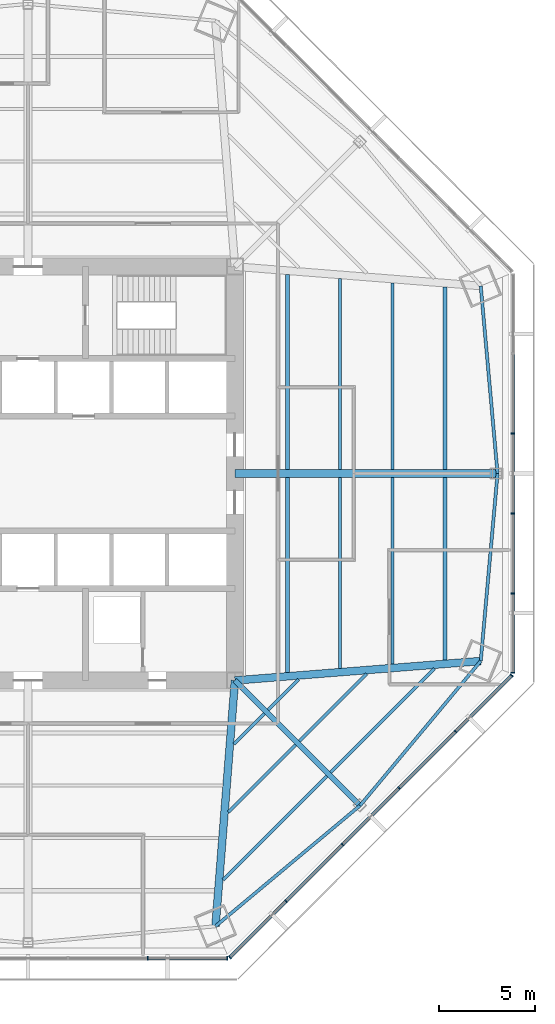
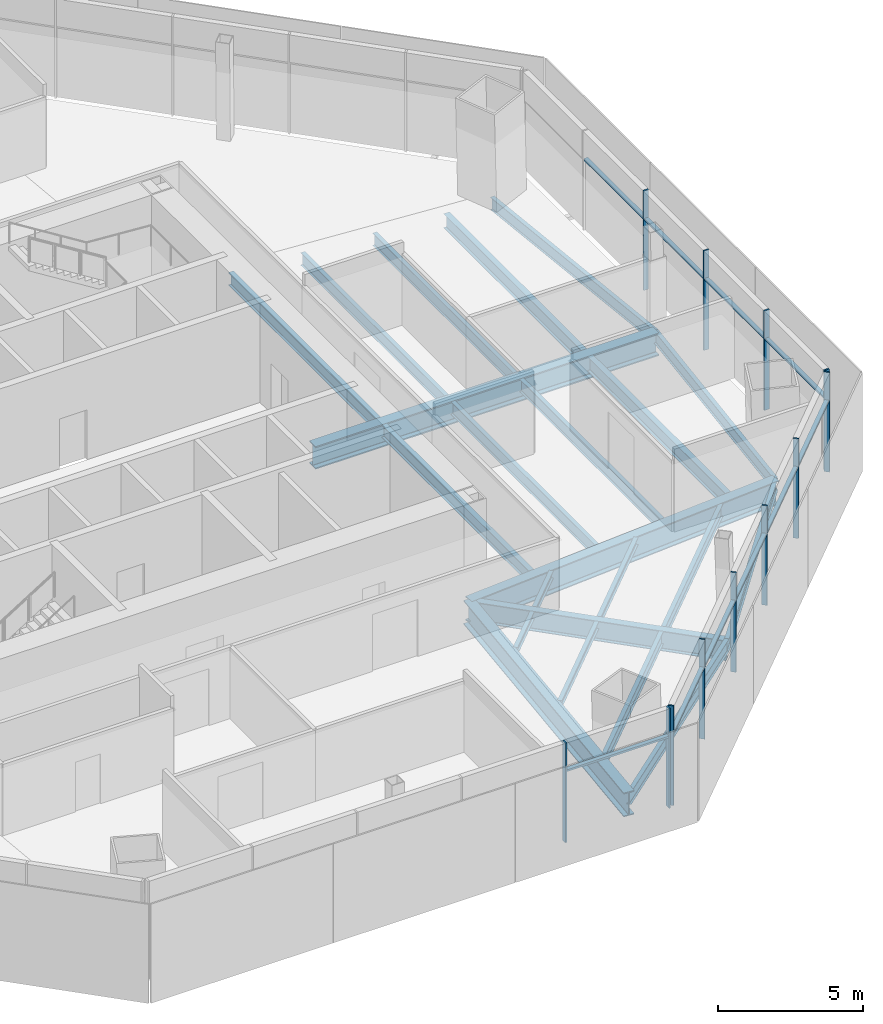
# One storey, part 4 of 16: 22 beams, 22 members, 3 elements without a shape of their own.
"""IFC4 building model written with IfcOpenShell, lengths in metres."""

from ifc_helpers import new_model, si_unit, direction, frame, origin, origin_2d, place, context, subcontext, project, spatial, rectangle, i_section, extrude, source, transform, mapped, material, material_profile, profile_set, type_object, type_shapes, element, aggregate, save


model = new_model("IFC4")

# Units and contexts
model_context = context("Model", 3, precision=1e-05, world=origin(), true_north=direction((0.0, 1.0)))
body_context = subcontext(model_context, "Body", "Model", "MODEL_VIEW")
ifc_project = project(units=[si_unit("LENGTHUNIT", "METRE"), si_unit("AREAUNIT", "SQUARE_METRE"), si_unit("VOLUMEUNIT", "CUBIC_METRE"), si_unit("PLANEANGLEUNIT", "RADIAN"), si_unit("MASSUNIT", "GRAM", prefix="KILO")], contexts=[model_context])

# Site, building, storey
site_placement = place(None, origin())
site = spatial("IfcSite", under=ifc_project, at=site_placement, CompositionType="ELEMENT")
building_placement = place(site_placement, origin())
building = spatial("IfcBuilding", under=site, at=building_placement, Name="Mashrafa Tower", CompositionType="ELEMENT")
storey_placement = place(building_placement, frame((0.0, 0.0, 96.0)))
storey = spatial("IfcBuildingStorey", under=building, at=storey_placement, Name="L21", CompositionType="ELEMENT", Elevation=96.0)

# Beams
ifc_material_1 = material(Name="Steel ASTM A992", Category="steel")
ifc_material_profile_1 = material_profile(ifc_material_1, i_section(OverallWidth=0.164794921875, OverallDepth=0.309814453125, WebThickness=0.005859375, FlangeThickness=0.009765625, FilletRadius=0.007568359375, at=origin_2d()), Name="W12X26")
ifc_profile_set_1 = profile_set([ifc_material_profile_1], Name="Steel ASTM A992")
beam_type_1 = type_object("IfcBeamType", Name="Beam W12X26", PredefinedType="BEAM", material=ifc_profile_set_1)
beam_1_placement = place(storey_placement, frame((12.328369140625, -12.534912109375, -0.31982421875), z_axis=(-0.707106781187, -0.707106781187, 0.0), x_axis=(0.707106781187, -0.707106781187, 0.0)))
element("IfcBeam", 1, at=beam_1_placement, inside=storey, type_object=beam_type_1, Name="Floor beam L21 040", PredefinedType="BEAM", context=body_context, shape_type="SweptSolid", body=[
    extrude(i_section(OverallWidth=0.164794921875, OverallDepth=0.309814453125, WebThickness=0.005859375, FlangeThickness=0.009765625, FilletRadius=0.007568359375, at=origin_2d()), origin(), (0.0, 0.0, 1.0), 2.248779296875),
])
beam_2_placement = place(storey_placement, frame((13.960205078125, -14.166748046875, -0.31982421875), z_axis=(-0.707131429789, -0.707082131725, 0.0), x_axis=(0.707082131725, -0.707131429789, 0.0)))
element("IfcBeam", 2, at=beam_2_placement, inside=storey, type_object=beam_type_1, Name="Floor beam L21 044", PredefinedType="BEAM", context=body_context, shape_type="SweptSolid", body=[
    extrude(i_section(OverallWidth=0.164794921875, OverallDepth=0.309814453125, WebThickness=0.005859375, FlangeThickness=0.009765625, FilletRadius=0.007568359375, at=origin_2d()), origin(), (0.0, 0.0, 1.0), 4.952392578125),
])
beam_3_placement = place(storey_placement, frame((14.125, -10.73828125, -0.31982421875), z_axis=(-0.707106781187, -0.707106781187, 0.0), x_axis=(0.707106781187, -0.707106781187, 0.0)))
element("IfcBeam", 3, at=beam_3_placement, inside=storey, type_object=beam_type_1, Name="Floor beam L21 046", PredefinedType="BEAM", context=body_context, shape_type="SweptSolid", body=[
    extrude(i_section(OverallWidth=0.164794921875, OverallDepth=0.309814453125, WebThickness=0.005859375, FlangeThickness=0.009765625, FilletRadius=0.007568359375, at=origin_2d()), origin(), (0.0, 0.0, 1.0), 2.248779296875),
])
beam_4_placement = place(storey_placement, frame((17.66845703125, -10.458251953125, -0.31982421875), z_axis=(-0.707082131725, -0.707131429789, 0.0), x_axis=(0.707131429789, -0.707082131725, 0.0)))
element("IfcBeam", 4, at=beam_4_placement, inside=storey, type_object=beam_type_1, Name="Floor beam L21 051", PredefinedType="BEAM", context=body_context, shape_type="SweptSolid", body=[
    extrude(i_section(OverallWidth=0.164794921875, OverallDepth=0.309814453125, WebThickness=0.005859375, FlangeThickness=0.009765625, FilletRadius=0.007568359375, at=origin_2d()), origin(), (0.0, 0.0, 1.0), 4.952392578125),
])
ifc_material_2 = material(Name="Steel ASTM A992", Category="steel")
ifc_material_profile_2 = material_profile(ifc_material_2, i_section(OverallWidth=0.1650390625, OverallDepth=0.52587890625, WebThickness=0.0087890625, FlangeThickness=0.011474609375, FilletRadius=0.0126953125, at=origin_2d()), Name="W21X44")
ifc_profile_set_2 = profile_set([ifc_material_profile_2], Name="Steel ASTM A992")
beam_type_2 = type_object("IfcBeamType", Name="Beam W21X44", PredefinedType="BEAM", material=ifc_profile_set_2)
for number, where, z_axis, x_axis, name in (
    (5, (19.022216796875, -0.212158203125, -0.427978515625), (0.0, -1.0, 0.0), (1.0, 0.0, 0.0), "Floor beam L21 052"),
    (6, (19.022216796875, 9.948486328125, -0.427978515625), (0.0, -1.0, 0.0), (1.0, 0.0, 0.0), "Floor beam L21 053"),
):
    element("IfcBeam", number, at=place(storey_placement, frame(where, z_axis=z_axis, x_axis=x_axis)), inside=storey, type_object=beam_type_2, Name=name, PredefinedType="BEAM", context=body_context, shape_type="SweptSolid", body=[
        extrude(i_section(OverallWidth=0.1650390625, OverallDepth=0.52587890625, WebThickness=0.0087890625, FlangeThickness=0.011474609375, FilletRadius=0.0126953125, at=origin_2d()), origin(), (0.0, 0.0, 1.0), 9.736328125),
    ])
ifc_material_3 = material(Name="Steel ASTM A992", Category="steel")
ifc_material_profile_3 = material_profile(ifc_material_3, i_section(OverallWidth=0.165771484375, OverallDepth=0.5283203125, WebThickness=0.009765625, FlangeThickness=0.013671875, FilletRadius=0.012939453125, at=origin_2d()), Name="W21X50")
ifc_profile_set_3 = profile_set([ifc_material_profile_3], Name="Steel ASTM A992")
beam_type_3 = type_object("IfcBeamType", Name="Beam W21X50", PredefinedType="BEAM", material=ifc_profile_set_3)
beam_5_placement = place(storey_placement, frame((15.591796875, -15.79833984375, -0.42919921875), z_axis=(-0.707122725149, -0.707090836864, 0.0), x_axis=(0.707090836864, -0.707122725149, 0.0)))
element("IfcBeam", 7, at=beam_5_placement, inside=storey, type_object=beam_type_3, Name="Floor beam L21 047", PredefinedType="BEAM", context=body_context, shape_type="SweptSolid", body=[
    extrude(i_section(OverallWidth=0.165771484375, OverallDepth=0.5283203125, WebThickness=0.009765625, FlangeThickness=0.013671875, FilletRadius=0.012939453125, at=origin_2d()), origin(), (0.0, 0.0, 1.0), 7.656005859375),
])
for number, where, z_axis, x_axis, name in (
    (8, (16.281494140625, -0.212158203125, -0.42919921875), (0.0, -1.0, 0.0), (1.0, 0.0, 0.0), "Floor beam L21 049"),
    (9, (16.281494140625, 10.165283203125, -0.42919921875), (0.0, -1.0, 0.0), (1.0, 0.0, 0.0), "Floor beam L21 050"),
):
    element("IfcBeam", number, at=place(storey_placement, frame(where, z_axis=z_axis, x_axis=x_axis)), inside=storey, type_object=beam_type_3, Name=name, PredefinedType="BEAM", context=body_context, shape_type="SweptSolid", body=[
        extrude(i_section(OverallWidth=0.165771484375, OverallDepth=0.5283203125, WebThickness=0.009765625, FlangeThickness=0.013671875, FilletRadius=0.012939453125, at=origin_2d()), origin(), (0.0, 0.0, 1.0), 9.953125),
    ])
beam_6_placement = place(storey_placement, frame((21.2119140625, -10.177978515625, -0.42919921875), z_axis=(-0.707090836864, -0.707122725149, 0.0), x_axis=(0.707122725149, -0.707090836864, 0.0)))
element("IfcBeam", 10, at=beam_6_placement, inside=storey, type_object=beam_type_3, Name="Floor beam L21 054", PredefinedType="BEAM", context=body_context, shape_type="SweptSolid", body=[
    extrude(i_section(OverallWidth=0.165771484375, OverallDepth=0.5283203125, WebThickness=0.009765625, FlangeThickness=0.013671875, FilletRadius=0.012939453125, at=origin_2d()), origin(), (0.0, 0.0, 1.0), 7.656005859375),
])
for number, where, z_axis, x_axis, name in (
    (11, (9.785888671875, -23.62548828125, -0.42919921875), (0.76747736109, 0.641076048698, 0.0), (-0.641076048698, 0.76747736109, 0.0), "Spandrel beam L21 082"),
    (12, (17.32666015625, -17.32666015625, -0.42919921875), (0.641076048698, 0.76747736109, 0.0), (-0.76747736109, 0.641076048698, 0.0), "Spandrel beam L21 084"),
):
    element("IfcBeam", number, at=place(storey_placement, frame(where, z_axis=z_axis, x_axis=x_axis)), inside=storey, type_object=beam_type_3, Name=name, PredefinedType="BEAM", context=body_context, shape_type="SweptSolid", body=[
        extrude(i_section(OverallWidth=0.165771484375, OverallDepth=0.5283203125, WebThickness=0.009765625, FlangeThickness=0.013671875, FilletRadius=0.012939453125, at=origin_2d()), origin(), (0.0, 0.0, 1.0), 9.825439453125),
    ])
for number, where, z_axis, x_axis, name in (
    (13, (23.62548828125, -9.785888671875, -0.42919921875), (0.089379624328, 0.995997631902, 0.0), (-0.995997631902, 0.089379624328, 0.0), "Spandrel beam L21 086"),
    (14, (24.503662109375, 0.0, -0.42919921875), (-0.089379624328, 0.995997631902, 0.0), (-0.995997631902, -0.089379624328, 0.0), "Spandrel beam L21 088"),
):
    element("IfcBeam", number, at=place(storey_placement, frame(where, z_axis=z_axis, x_axis=x_axis)), inside=storey, type_object=beam_type_3, Name=name, PredefinedType="BEAM", context=body_context, shape_type="SweptSolid", body=[
        extrude(i_section(OverallWidth=0.165771484375, OverallDepth=0.5283203125, WebThickness=0.009765625, FlangeThickness=0.013671875, FilletRadius=0.012939453125, at=origin_2d()), origin(), (0.0, 0.0, 1.0), 9.8251953125),
    ])
ifc_material_4 = material(Name="Steel ASTM A992", Category="steel")
ifc_material_profile_4 = material_profile(ifc_material_4, i_section(OverallWidth=0.209228515625, OverallDepth=0.533447265625, WebThickness=0.01025390625, FlangeThickness=0.015625, FilletRadius=0.012939453125, at=origin_2d()), Name="W21X62")
ifc_profile_set_4 = profile_set([ifc_material_profile_4], Name="Steel ASTM A992")
beam_type_4 = type_object("IfcBeamType", Name="Beam W21X62", PredefinedType="BEAM", material=ifc_profile_set_4)
for number, where, z_axis, x_axis, name in (
    (15, (13.540771484375, -0.212158203125, -0.431640625), (0.0, -1.0, 0.0), (1.0, 0.0, 0.0), "Floor beam L21 042"),
    (16, (13.540771484375, 10.382080078125, -0.431640625), (0.0, -1.0, 0.0), (1.0, 0.0, 0.0), "Floor beam L21 043"),
):
    element("IfcBeam", number, at=place(storey_placement, frame(where, z_axis=z_axis, x_axis=x_axis)), inside=storey, type_object=beam_type_4, Name=name, PredefinedType="BEAM", context=body_context, shape_type="SweptSolid", body=[
        extrude(i_section(OverallWidth=0.209228515625, OverallDepth=0.533447265625, WebThickness=0.01025390625, FlangeThickness=0.015625, FilletRadius=0.012939453125, at=origin_2d()), origin(), (0.0, 0.0, 1.0), 10.169921875),
    ])
ifc_material_5 = material(Name="Steel ASTM A992", Category="steel")
ifc_material_profile_5 = material_profile(ifc_material_5, i_section(OverallWidth=0.227783203125, OverallDepth=0.60205078125, WebThickness=0.010498046875, FlangeThickness=0.014892578125, FilletRadius=0.012939453125, at=origin_2d()), Name="W24X68")
ifc_profile_set_5 = profile_set([ifc_material_profile_5], Name="Steel ASTM A992")
beam_type_5 = type_object("IfcBeamType", Name="Beam W24X68", PredefinedType="BEAM", material=ifc_profile_set_5)
for number, where, z_axis, x_axis, name in (
    (17, (21.762939453125, -0.212158203125, -0.466064453125), (0.0, -1.0, 0.0), (1.0, 0.0, 0.0), "Floor beam L21 055"),
    (18, (21.762939453125, 9.73193359375, -0.466064453125), (0.0, -1.0, 0.0), (1.0, 0.0, 0.0), "Floor beam L21 056"),
):
    element("IfcBeam", number, at=place(storey_placement, frame(where, z_axis=z_axis, x_axis=x_axis)), inside=storey, type_object=beam_type_5, Name=name, PredefinedType="BEAM", context=body_context, shape_type="SweptSolid", body=[
        extrude(i_section(OverallWidth=0.227783203125, OverallDepth=0.60205078125, WebThickness=0.010498046875, FlangeThickness=0.014892578125, FilletRadius=0.012939453125, at=origin_2d()), origin(), (0.0, 0.0, 1.0), 9.519775390625),
    ])
ifc_material_6 = material(Name="Steel ASTM A992", Category="steel")
ifc_material_profile_6 = material_profile(ifc_material_6, i_section(OverallWidth=0.2919921875, OverallDepth=0.845703125, WebThickness=0.015380859375, FlangeThickness=0.0244140625, FilletRadius=0.017333984375, at=origin_2d()), Name="W33X141")
ifc_profile_set_6 = profile_set([ifc_material_profile_6], Name="Steel ASTM A992")
beam_type_6 = type_object("IfcBeamType", Name="Beam W33X141", PredefinedType="BEAM", material=ifc_profile_set_6)
beam_7_placement = place(storey_placement, frame((10.800048828125, -10.800048828125, -0.587890625), z_axis=(0.707106781187, -0.707106781187, 0.0), x_axis=(0.707106781187, 0.707106781187, 0.0)))
element("IfcBeam", 19, at=beam_7_placement, inside=storey, type_object=beam_type_6, Name="Radial girder L21 067", PredefinedType="BEAM", context=body_context, shape_type="SweptSolid", body=[
    extrude(i_section(OverallWidth=0.2919921875, OverallDepth=0.845703125, WebThickness=0.015380859375, FlangeThickness=0.0244140625, FilletRadius=0.017333984375, at=origin_2d()), origin(), (0.0, 0.0, 1.0), 9.22998046875),
])
ifc_material_7 = material(Name="Steel ASTM A992", Category="steel")
ifc_material_profile_7 = material_profile(ifc_material_7, i_section(OverallWidth=0.424072265625, OverallDepth=0.960205078125, WebThickness=0.028564453125, FlangeThickness=0.051025390625, FilletRadius=0.02001953125, at=origin_2d()), Name="W36X361")
ifc_profile_set_7 = profile_set([ifc_material_profile_7], Name="Steel ASTM A992")
beam_type_7 = type_object("IfcBeamType", Name="Beam W36X361", PredefinedType="BEAM", material=ifc_profile_set_7)
beam_8_placement = place(storey_placement, frame((10.800048828125, 0.0, -0.64501953125), z_axis=(1.0, 0.0, 0.0), x_axis=(0.0, 1.0, 0.0)))
element("IfcBeam", 20, at=beam_8_placement, inside=storey, type_object=beam_type_7, Name="Radial girder L21 069", PredefinedType="BEAM", context=body_context, shape_type="SweptSolid", body=[
    extrude(i_section(OverallWidth=0.424072265625, OverallDepth=0.960205078125, WebThickness=0.028564453125, FlangeThickness=0.051025390625, FilletRadius=0.02001953125, at=origin_2d()), origin(), (0.0, 0.0, 1.0), 13.70361328125),
])
ifc_material_8 = material(Name="Steel ASTM A992", Category="steel")
ifc_material_profile_8 = material_profile(ifc_material_8, i_section(OverallWidth=0.4013671875, OverallDepth=1.010986328125, WebThickness=0.023681640625, FlangeThickness=0.0419921875, FilletRadius=0.02001953125, at=origin_2d()), Name="W40X297")
ifc_profile_set_8 = profile_set([ifc_material_profile_8], Name="Steel ASTM A992")
beam_type_8 = type_object("IfcBeamType", Name="Beam W40X297", PredefinedType="BEAM", material=ifc_profile_set_8)
for number, where, z_axis, x_axis, name in (
    (21, (10.800048828125, -10.800048828125, -0.67041015625), (-0.078828045218, -0.996888228081, 0.0), (0.996888228081, -0.078828045218, 0.0), "Radial girder L21 066"),
    (22, (10.800048828125, -10.800048828125, -0.67041015625), (0.996888228081, 0.078828045218, 0.0), (-0.078828045218, 0.996888228081, 0.0), "Radial girder L21 068"),
):
    element("IfcBeam", number, at=place(storey_placement, frame(where, z_axis=z_axis, x_axis=x_axis)), inside=storey, type_object=beam_type_8, Name=name, PredefinedType="BEAM", context=body_context, shape_type="SweptSolid", body=[
        extrude(i_section(OverallWidth=0.4013671875, OverallDepth=1.010986328125, WebThickness=0.023681640625, FlangeThickness=0.0419921875, FilletRadius=0.02001953125, at=origin_2d()), origin(), (0.0, 0.0, 1.0), 12.865478515625),
    ])

# Curtain wall, members
ifc_material_9 = material(Name="Unitised aluminium curtain wall", Category="aluminium")
curtain_wall_type = type_object("IfcCurtainWallType", Name="Office curtain wall, zone 1 CW-A 200 deep", PredefinedType="NOTDEFINED", material=ifc_material_9)
curtain_wall_1_placement = place(storey_placement, origin())
curtain_wall_1 = element("IfcCurtainWall", 23, at=curtain_wall_1_placement, inside=storey, type_object=curtain_wall_type, Name="Office curtain wall, zone 1 L21 east", PredefinedType="NOTDEFINED")
ifc_material_10 = material(Name="Extruded aluminium mullion", Category="aluminium")
ifc_material_profile_9 = material_profile(ifc_material_10, rectangle(XDim=0.199951171875, YDim=0.06494140625, at=origin_2d()), Name="Mullion 65x200")
ifc_profile_set_9 = profile_set([ifc_material_profile_9], Name="Extruded aluminium mullion")
member_type_1 = type_object("IfcMemberType", Name="Mullion CW-A 65 x 200", PredefinedType="MULLION", material=ifc_profile_set_9)
shared_shape_1 = source(origin(), body_context, "Body", "SweptSolid", [
    extrude(rectangle(XDim=0.199951171875, YDim=0.06494140625, at=origin_2d()), origin(), (0.0, 0.0, 1.0), 4.199951171875),
])
type_shapes(member_type_1, [shared_shape_1])
member_1_placement = place(storey_placement, frame((25.299072265625, -10.395263671875, 0.0), z_axis=(0.0, 0.0, 1.0), x_axis=(-1.0, 0.0, 0.0)))
member_1 = element("IfcMember", 24, at=member_1_placement, type_object=member_type_1, Name="CW-A mullion 1", PredefinedType="MULLION", context=body_context, shape_type="MappedRepresentation", body=[
    mapped(shared_shape_1, transform((0.0, 0.0, 0.0))),
])
member_2_placement = place(storey_placement, frame((25.299072265625, -6.256591796875, 0.0), z_axis=(0.0, 0.0, 1.0), x_axis=(-1.0, 0.0, 0.0)))
member_2 = element("IfcMember", 25, at=member_2_placement, type_object=member_type_1, Name="CW-A mullion 2", PredefinedType="MULLION", context=body_context, shape_type="MappedRepresentation", body=[
    mapped(shared_shape_1, transform((0.0, 0.0, 0.0))),
])
member_3_placement = place(storey_placement, frame((25.299072265625, -2.08544921875, 0.0), z_axis=(0.0, 0.0, 1.0), x_axis=(-1.0, 0.0, 0.0)))
member_3 = element("IfcMember", 26, at=member_3_placement, type_object=member_type_1, Name="CW-A mullion 3", PredefinedType="MULLION", context=body_context, shape_type="MappedRepresentation", body=[
    mapped(shared_shape_1, transform((0.0, 0.0, 0.0))),
])
member_4_placement = place(storey_placement, frame((25.299072265625, 2.08544921875, 0.0), z_axis=(0.0, 0.0, 1.0), x_axis=(-1.0, 0.0, 0.0)))
member_4 = element("IfcMember", 27, at=member_4_placement, type_object=member_type_1, Name="CW-A mullion 4", PredefinedType="MULLION", context=body_context, shape_type="MappedRepresentation", body=[
    mapped(shared_shape_1, transform((0.0, 0.0, 0.0))),
])

curtain_wall_2_placement = place(storey_placement, origin())
curtain_wall_2 = element("IfcCurtainWall", 28, at=curtain_wall_2_placement, inside=storey, type_object=curtain_wall_type, Name="Office curtain wall, zone 1 L21 south", PredefinedType="NOTDEFINED")
member_5_placement = place(storey_placement, frame((6.256591796875, -25.299072265625, 0.0), z_axis=(0.0, 0.0, 1.0), x_axis=(0.0, 1.0, 0.0)))
member_5 = element("IfcMember", 29, at=member_5_placement, type_object=member_type_1, Name="CW-A mullion 5", PredefinedType="MULLION", context=body_context, shape_type="MappedRepresentation", body=[
    mapped(shared_shape_1, transform((0.0, 0.0, 0.0))),
])
member_6_placement = place(storey_placement, frame((10.395263671875, -25.299072265625, 0.0), z_axis=(0.0, 0.0, 1.0), x_axis=(0.0, 1.0, 0.0)))
member_6 = element("IfcMember", 30, at=member_6_placement, type_object=member_type_1, Name="CW-A mullion 6", PredefinedType="MULLION", context=body_context, shape_type="MappedRepresentation", body=[
    mapped(shared_shape_1, transform((0.0, 0.0, 0.0))),
])

curtain_wall_3_placement = place(storey_placement, origin())
curtain_wall_3 = element("IfcCurtainWall", 31, at=curtain_wall_3_placement, inside=storey, type_object=curtain_wall_type, Name="Office curtain wall, zone 1 L21 south-east", PredefinedType="NOTDEFINED")
member_7_placement = place(storey_placement, frame((10.53857421875, -25.23974609375, 0.0), z_axis=(0.0, 0.0, 1.0), x_axis=(-0.707106781187, 0.707106781187, 0.0)))
member_7 = element("IfcMember", 32, at=member_7_placement, type_object=member_type_1, Name="CW-A mullion 1", PredefinedType="MULLION", context=body_context, shape_type="MappedRepresentation", body=[
    mapped(shared_shape_1, transform((0.0, 0.0, 0.0))),
])
member_8_placement = place(storey_placement, frame((13.465087890625, -22.313232421875, 0.0), z_axis=(0.0, 0.0, 1.0), x_axis=(-0.707106781187, 0.707106781187, 0.0)))
member_8 = element("IfcMember", 33, at=member_8_placement, type_object=member_type_1, Name="CW-A mullion 2", PredefinedType="MULLION", context=body_context, shape_type="MappedRepresentation", body=[
    mapped(shared_shape_1, transform((0.0, 0.0, 0.0))),
])
member_9_placement = place(storey_placement, frame((16.414306640625, -19.36376953125, 0.0), z_axis=(0.0, 0.0, 1.0), x_axis=(-0.707106781187, 0.707106781187, 0.0)))
member_9 = element("IfcMember", 34, at=member_9_placement, type_object=member_type_1, Name="CW-A mullion 3", PredefinedType="MULLION", context=body_context, shape_type="MappedRepresentation", body=[
    mapped(shared_shape_1, transform((0.0, 0.0, 0.0))),
])
member_10_placement = place(storey_placement, frame((19.36376953125, -16.414306640625, 0.0), z_axis=(0.0, 0.0, 1.0), x_axis=(-0.707106781187, 0.707106781187, 0.0)))
member_10 = element("IfcMember", 35, at=member_10_placement, type_object=member_type_1, Name="CW-A mullion 4", PredefinedType="MULLION", context=body_context, shape_type="MappedRepresentation", body=[
    mapped(shared_shape_1, transform((0.0, 0.0, 0.0))),
])
member_11_placement = place(storey_placement, frame((22.313232421875, -13.465087890625, 0.0), z_axis=(0.0, 0.0, 1.0), x_axis=(-0.707106781187, 0.707106781187, 0.0)))
member_11 = element("IfcMember", 36, at=member_11_placement, type_object=member_type_1, Name="CW-A mullion 5", PredefinedType="MULLION", context=body_context, shape_type="MappedRepresentation", body=[
    mapped(shared_shape_1, transform((0.0, 0.0, 0.0))),
])
member_12_placement = place(storey_placement, frame((25.23974609375, -10.53857421875, 0.0), z_axis=(0.0, 0.0, 1.0), x_axis=(-0.707106781187, 0.707106781187, 0.0)))
member_12 = element("IfcMember", 37, at=member_12_placement, type_object=member_type_1, Name="CW-A mullion 6", PredefinedType="MULLION", context=body_context, shape_type="MappedRepresentation", body=[
    mapped(shared_shape_1, transform((0.0, 0.0, 0.0))),
])

# Member
ifc_material_11 = material(Name="Extruded aluminium transom", Category="aluminium")
ifc_material_profile_10 = material_profile(ifc_material_11, rectangle(XDim=0.159912109375, YDim=0.080078125, at=origin_2d()), Name="Transom 80x160")
ifc_profile_set_10 = profile_set([ifc_material_profile_10], Name="Extruded aluminium transom")
member_type_2 = type_object("IfcMemberType", Name="Transom CW-A 80 x 160", PredefinedType="MULLION", material=ifc_profile_set_10)
shared_shape_2 = source(origin(), body_context, "Body", "SweptSolid", [
    extrude(rectangle(XDim=0.159912109375, YDim=0.080078125, at=origin_2d()), origin(), (0.0, 0.0, 1.0), 4.07373046875),
])
member_13_placement = place(storey_placement, frame((25.299072265625, -10.36279296875, 3.0), z_axis=(0.0, 1.0, 0.0), x_axis=(-1.0, 0.0, 0.0)))
member_13 = element("IfcMember", 38, at=member_13_placement, type_object=member_type_2, Name="CW-A transom 1", PredefinedType="MULLION", context=body_context, shape_type="MappedRepresentation", body=[
    mapped(shared_shape_2, transform((0.0, 0.0, 0.0))),
])

member_14_placement = place(storey_placement, frame((6.2890625, -25.299072265625, 3.0), z_axis=(1.0, 0.0, 0.0), x_axis=(0.0, 1.0, 0.0)))
member_14 = element("IfcMember", 39, at=member_14_placement, type_object=member_type_2, Name="CW-A transom 5", PredefinedType="MULLION", context=body_context, shape_type="MappedRepresentation", body=[
    mapped(shared_shape_2, transform((0.0, 0.0, 0.0))),
])

aggregate(curtain_wall_2, [member_5, member_6, member_14])

member_15_placement = place(storey_placement, frame((10.5615234375, -25.216796875, 3.0), z_axis=(0.707076814591, 0.707136746513, 0.0), x_axis=(-0.707136746513, 0.707076814591, 0.0)))
member_15 = element("IfcMember", 40, at=member_15_placement, type_object=member_type_2, Name="CW-A transom 1", PredefinedType="MULLION", context=body_context, shape_type="MappedRepresentation", body=[
    mapped(shared_shape_2, transform((0.0, 0.0, 0.0))),
])

member_16_placement = place(storey_placement, frame((22.336181640625, -13.44189453125, 3.0), z_axis=(0.707136746513, 0.707076814591, 0.0), x_axis=(-0.707076814591, 0.707136746513, 0.0)))
member_16 = element("IfcMember", 41, at=member_16_placement, type_object=member_type_2, Name="CW-A transom 5", PredefinedType="MULLION", context=body_context, shape_type="MappedRepresentation", body=[
    mapped(shared_shape_2, transform((0.0, 0.0, 0.0))),
])

shared_shape_3 = source(origin(), body_context, "Body", "SweptSolid", [
    extrude(rectangle(XDim=0.159912109375, YDim=0.080078125, at=origin_2d()), origin(), (0.0, 0.0, 1.0), 4.10595703125),
])
member_17_placement = place(storey_placement, frame((25.299072265625, -6.22412109375, 3.0), z_axis=(0.0, 1.0, 0.0), x_axis=(-1.0, 0.0, 0.0)))
member_17 = element("IfcMember", 42, at=member_17_placement, type_object=member_type_2, Name="CW-A transom 2", PredefinedType="MULLION", context=body_context, shape_type="MappedRepresentation", body=[
    mapped(shared_shape_3, transform((0.0, 0.0, 0.0))),
])

member_18_placement = place(storey_placement, frame((25.299072265625, -2.052978515625, 3.0), z_axis=(0.0, 1.0, 0.0), x_axis=(-1.0, 0.0, 0.0)))
member_18 = element("IfcMember", 43, at=member_18_placement, type_object=member_type_2, Name="CW-A transom 3", PredefinedType="MULLION", context=body_context, shape_type="MappedRepresentation", body=[
    mapped(shared_shape_3, transform((0.0, 0.0, 0.0))),
])

member_19_placement = place(storey_placement, frame((25.299072265625, 2.1181640625, 3.0), z_axis=(0.0, 1.0, 0.0), x_axis=(-1.0, 0.0, 0.0)))
member_19 = element("IfcMember", 44, at=member_19_placement, type_object=member_type_2, Name="CW-A transom 4", PredefinedType="MULLION", context=body_context, shape_type="MappedRepresentation", body=[
    mapped(shared_shape_3, transform((0.0, 0.0, 0.0))),
])

aggregate(curtain_wall_1, [member_1, member_2, member_3, member_4, member_13, member_17, member_18, member_19])

shared_shape_4 = source(origin(), body_context, "Body", "SweptSolid", [
    extrude(rectangle(XDim=0.159912109375, YDim=0.080078125, at=origin_2d()), origin(), (0.0, 0.0, 1.0), 4.106201171875),
])
type_shapes(member_type_2, [shared_shape_2, shared_shape_3, shared_shape_4])
member_20_placement = place(storey_placement, frame((13.488037109375, -22.290283203125, 3.0), z_axis=(0.707077051456, 0.707136509667, 0.0), x_axis=(-0.707136509667, 0.707077051456, 0.0)))
member_20 = element("IfcMember", 45, at=member_20_placement, type_object=member_type_2, Name="CW-A transom 2", PredefinedType="MULLION", context=body_context, shape_type="MappedRepresentation", body=[
    mapped(shared_shape_4, transform((0.0, 0.0, 0.0))),
])

member_21_placement = place(storey_placement, frame((16.437255859375, -19.3408203125, 3.0), z_axis=(0.707106781187, 0.707106781187, 0.0), x_axis=(-0.707106781187, 0.707106781187, 0.0)))
member_21 = element("IfcMember", 46, at=member_21_placement, type_object=member_type_2, Name="CW-A transom 3", PredefinedType="MULLION", context=body_context, shape_type="MappedRepresentation", body=[
    mapped(shared_shape_4, transform((0.0, 0.0, 0.0))),
])

member_22_placement = place(storey_placement, frame((19.38671875, -16.391357421875, 3.0), z_axis=(0.707136509667, 0.707077051456, 0.0), x_axis=(-0.707077051456, 0.707136509667, 0.0)))
member_22 = element("IfcMember", 47, at=member_22_placement, type_object=member_type_2, Name="CW-A transom 4", PredefinedType="MULLION", context=body_context, shape_type="MappedRepresentation", body=[
    mapped(shared_shape_4, transform((0.0, 0.0, 0.0))),
])

aggregate(curtain_wall_3, [member_7, member_8, member_9, member_10, member_11, member_12, member_15, member_20, member_21, member_22, member_16])

save(model, "model.ifc")
